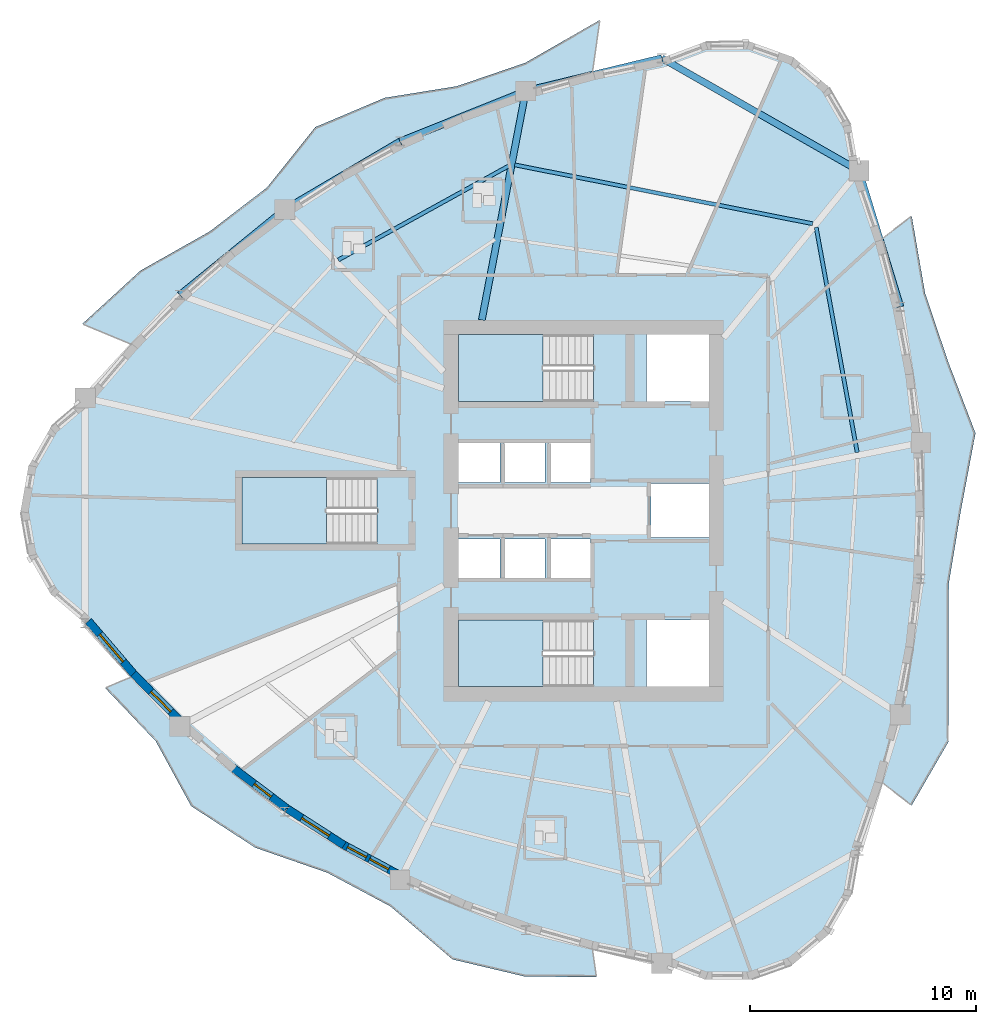
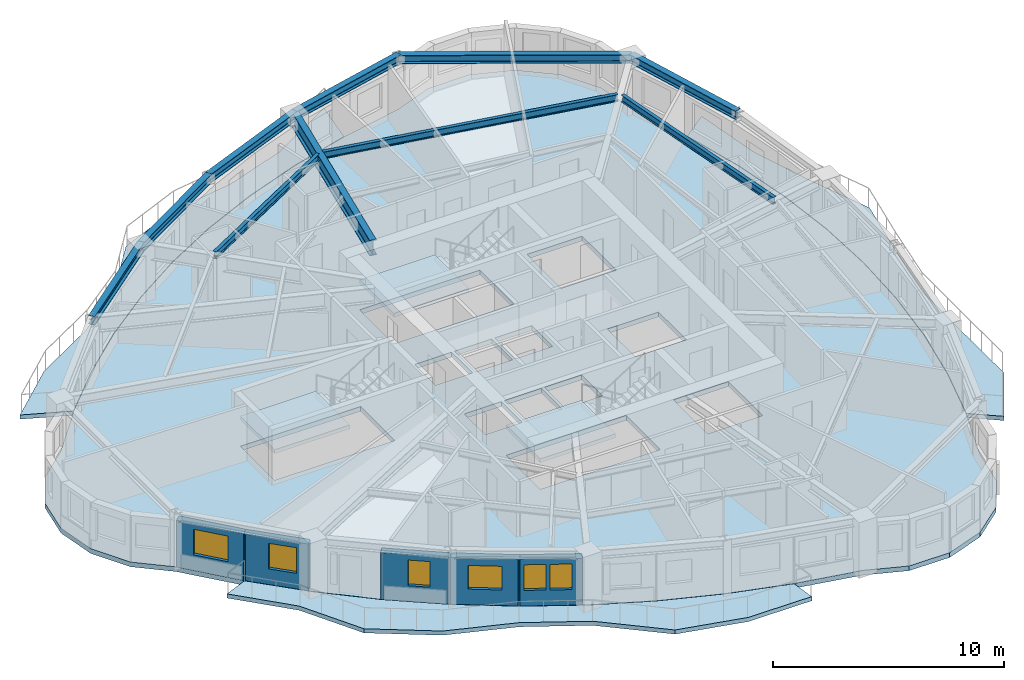
# One storey, part 2 of 12: 10 beams, 7 slabs, 6 windows, 5 walls, 6 openings, 3 elements without a shape of their own.
"""IFC4 building model written with IfcOpenShell, lengths in metres."""

from ifc_helpers import new_model, si_unit, direction, frame, frame_2d, origin, origin_2d, place, context, subcontext, project, spatial, polyline, rectangle, i_section, outline, extrude, source, transform, mapped, material, layer, layer_set, material_profile, profile_set, type_object, element, fill, aggregate, save


model = new_model("IFC4")

# Units and contexts
model_context = context("Model", 3, precision=1e-05, world=origin(), true_north=direction((0.0, 1.0)))
body_context = subcontext(model_context, "Body", "Model", "MODEL_VIEW")
ifc_project = project(units=[si_unit("LENGTHUNIT", "METRE"), si_unit("AREAUNIT", "SQUARE_METRE"), si_unit("VOLUMEUNIT", "CUBIC_METRE"), si_unit("PLANEANGLEUNIT", "RADIAN"), si_unit("MASSUNIT", "GRAM", prefix="KILO")], contexts=[model_context])

# Site, building, storey
site_placement = place(None, origin())
site = spatial("IfcSite", under=ifc_project, at=site_placement, CompositionType="ELEMENT")
building_placement = place(site_placement, origin())
building = spatial("IfcBuilding", under=site, at=building_placement, Name="Qafzar Sky-Pleat Residences", CompositionType="ELEMENT")
storey_placement = place(building_placement, frame((0.0, 0.0, 76.800048828125)))
storey = spatial("IfcBuildingStorey", under=building, at=storey_placement, Name="L22", CompositionType="ELEMENT", Elevation=76.800048828125)

# Beams
ifc_material_1 = material(Name="Steel S355", Category="steel")
ifc_material_profile_1 = material_profile(ifc_material_1, i_section(OverallWidth=0.300048828125, OverallDepth=0.449951171875, WebThickness=0.013916015625, FlangeThickness=0.02587890625, FilletRadius=0.027099609375, at=origin_2d()), Name="HEB 450")
ifc_profile_set_1 = profile_set([ifc_material_profile_1], Name="Steel S355")
beam_type_1 = type_object("IfcBeamType", Name="BM-SPAN-HEB450", PredefinedType="SPANDREL", material=ifc_profile_set_1)
shared_shape_1 = source(origin(), body_context, "Body", "SweptSolid", [
    extrude(i_section(OverallWidth=0.300048828125, OverallDepth=0.449951171875, WebThickness=0.013916015625, FlangeThickness=0.02587890625, FilletRadius=0.027099609375, at=origin_2d()), origin(), (0.0, 0.0, 1.0), 6.002197265625),
])
for number, where, z_axis, x_axis, name in (
    (1, (27.786865234375, 44.60400390625, 2.7080078125), (-0.927979334947, -0.372631659834, 0.0), (0.372631659834, -0.927979334947, 0.0), "L22 Perimeter Spandrel Beam 15"),
    (2, (17.105224609375, 39.354248046875, 2.7080078125), (-0.775354482876, -0.631526266978, 0.0), (0.631526266978, -0.775354482876, 0.0), "L22 Perimeter Spandrel Beam 17"),
):
    element("IfcBeam", number, at=place(storey_placement, frame(where, z_axis=z_axis, x_axis=x_axis)), inside=storey, type_object=beam_type_1, Name=name, PredefinedType="SPANDREL", context=body_context, shape_type="MappedRepresentation", body=[
        mapped(shared_shape_1, transform((0.0, 0.0, 0.0), x_axis=(1.0, 0.0, 0.0), y_axis=(0.0, 1.0, 0.0), z_axis=(0.0, 0.0, 1.0), scale=1.0)),
    ])
shared_shape_2 = source(origin(), body_context, "Body", "SweptSolid", [
    extrude(i_section(OverallWidth=0.300048828125, OverallDepth=0.449951171875, WebThickness=0.013916015625, FlangeThickness=0.02587890625, FilletRadius=0.027099609375, at=origin_2d()), origin(), (0.0, 0.0, 1.0), 5.933837890625),
])
beam_1_placement = place(storey_placement, frame((22.217041015625, 42.367431640625, 2.7080078125), z_axis=(-0.861474825081, -0.507800281362, 0.0), x_axis=(0.507800281362, -0.861474825081, 0.0)))
element("IfcBeam", 3, at=beam_1_placement, inside=storey, type_object=beam_type_1, Name="L22 Perimeter Spandrel Beam 16", PredefinedType="SPANDREL", context=body_context, shape_type="MappedRepresentation", body=[
    mapped(shared_shape_2, transform((0.0, 0.0, 0.0), x_axis=(1.0, 0.0, 0.0), y_axis=(0.0, 1.0, 0.0), z_axis=(0.0, 0.0, 1.0), scale=1.0)),
])
shared_shape_3 = source(origin(), body_context, "Body", "SweptSolid", [
    extrude(i_section(OverallWidth=0.300048828125, OverallDepth=0.449951171875, WebThickness=0.013916015625, FlangeThickness=0.02587890625, FilletRadius=0.027099609375, at=origin_2d()), origin(), (0.0, 0.0, 1.0), 6.201904296875),
])
beam_2_placement = place(storey_placement, frame((33.814697265625, 46.063232421875, 2.7080078125), z_axis=(-0.971926258737, -0.235285672275, 0.0), x_axis=(0.235285672275, -0.971926258737, 0.0)))
element("IfcBeam", 4, at=beam_2_placement, inside=storey, type_object=beam_type_1, Name="L22 Perimeter Spandrel Beam 14", PredefinedType="SPANDREL", context=body_context, shape_type="MappedRepresentation", body=[
    mapped(shared_shape_3, transform((0.0, 0.0, 0.0), x_axis=(1.0, 0.0, 0.0), y_axis=(0.0, 1.0, 0.0), z_axis=(0.0, 0.0, 1.0), scale=1.0)),
])
shared_shape_4 = source(origin(), body_context, "Body", "SweptSolid", [
    extrude(i_section(OverallWidth=0.300048828125, OverallDepth=0.449951171875, WebThickness=0.013916015625, FlangeThickness=0.02587890625, FilletRadius=0.027099609375, at=origin_2d()), origin(), (0.0, 0.0, 1.0), 10.072021484375),
])
beam_3_placement = place(storey_placement, frame((42.56005859375, 41.06689453125, 2.7080078125), z_axis=(-0.868286397172, 0.496063234363, 0.0), x_axis=(-0.496063234363, -0.868286397172, 0.0)))
element("IfcBeam", 5, at=beam_3_placement, inside=storey, type_object=beam_type_1, Name="L22 Perimeter Spandrel Beam 13", PredefinedType="SPANDREL", context=body_context, shape_type="MappedRepresentation", body=[
    mapped(shared_shape_4, transform((0.0, 0.0, 0.0), x_axis=(1.0, 0.0, 0.0), y_axis=(0.0, 1.0, 0.0), z_axis=(0.0, 0.0, 1.0), scale=1.0)),
])
shared_shape_5 = source(origin(), body_context, "Body", "SweptSolid", [
    extrude(i_section(OverallWidth=0.300048828125, OverallDepth=0.449951171875, WebThickness=0.013916015625, FlangeThickness=0.02587890625, FilletRadius=0.027099609375, at=origin_2d()), origin(), (0.0, 0.0, 1.0), 6.299072265625),
])
beam_4_placement = place(storey_placement, frame((44.39208984375, 35.0400390625, 2.7080078125), z_axis=(-0.290837724263, 0.956772396208, 0.0), x_axis=(-0.956772396208, -0.290837724263, 0.0)))
element("IfcBeam", 6, at=beam_4_placement, inside=storey, type_object=beam_type_1, Name="L22 Perimeter Spandrel Beam 12", PredefinedType="SPANDREL", context=body_context, shape_type="MappedRepresentation", body=[
    mapped(shared_shape_5, transform((0.0, 0.0, 0.0), x_axis=(1.0, 0.0, 0.0), y_axis=(0.0, 1.0, 0.0), z_axis=(0.0, 0.0, 1.0), scale=1.0)),
])
ifc_material_profile_2 = material_profile(ifc_material_1, i_section(OverallWidth=0.169921875, OverallDepth=0.360107421875, WebThickness=0.008056640625, FlangeThickness=0.0126953125, FilletRadius=0.01806640625, at=origin_2d()), Name="IPE 360")
ifc_profile_set_2 = profile_set([ifc_material_profile_2], Name="Steel S355")
beam_type_2 = type_object("IfcBeamType", Name="BM-JST-IPE360", PredefinedType="JOIST", material=ifc_profile_set_2)
shared_shape_6 = source(origin(), body_context, "Body", "SweptSolid", [
    extrude(i_section(OverallWidth=0.169921875, OverallDepth=0.360107421875, WebThickness=0.008056640625, FlangeThickness=0.0126953125, FilletRadius=0.01806640625, at=origin_2d()), origin(), (0.0, 0.0, 1.0), 10.14404296875),
])
beam_5_placement = place(storey_placement, frame((42.4814453125, 28.58154296875, 2.7529296875), z_axis=(-0.179472078166, 0.983763067592, 0.0), x_axis=(-0.983763067592, -0.179472078166, 0.0)))
element("IfcBeam", 7, at=beam_5_placement, inside=storey, type_object=beam_type_2, Name="L22 Outer Secondary Floor Joist 6", PredefinedType="JOIST", context=body_context, shape_type="MappedRepresentation", body=[
    mapped(shared_shape_6, transform((0.0, 0.0, 0.0), x_axis=(1.0, 0.0, 0.0), y_axis=(0.0, 1.0, 0.0), z_axis=(0.0, 0.0, 1.0), scale=1.0)),
])
ifc_material_2 = material(Name="Steel S460", Category="steel")
ifc_material_profile_3 = material_profile(ifc_material_2, i_section(OverallWidth=0.300048828125, OverallDepth=0.800048828125, WebThickness=0.017578125, FlangeThickness=0.032958984375, FilletRadius=0.030029296875, at=origin_2d()), Name="HEB 800")
ifc_profile_set_3 = profile_set([ifc_material_profile_3], Name="Steel S460")
beam_type_3 = type_object("IfcBeamType", Name="BM-CHORD-HEB800", PredefinedType="BEAM", material=ifc_profile_set_3)
shared_shape_7 = source(origin(), body_context, "Body", "SweptSolid", [
    extrude(i_section(OverallWidth=0.300048828125, OverallDepth=0.800048828125, WebThickness=0.017578125, FlangeThickness=0.032958984375, FilletRadius=0.030029296875, at=origin_2d()), origin(), (0.0, 0.0, 1.0), 10.3388671875),
])
beam_6_placement = place(storey_placement, frame((27.786865234375, 44.60400390625, 2.532958984375), z_axis=(-0.18827194178, -0.98211693598, 0.0), x_axis=(0.98211693598, -0.18827194178, 0.0)))
element("IfcBeam", 8, at=beam_6_placement, inside=storey, type_object=beam_type_3, Name="L23 Setback Transfer Girder 15", PredefinedType="BEAM", context=body_context, shape_type="MappedRepresentation", body=[
    mapped(shared_shape_7, transform((0.0, 0.0, 0.0), x_axis=(1.0, 0.0, 0.0), y_axis=(0.0, 1.0, 0.0), z_axis=(0.0, 0.0, 1.0), scale=1.0)),
])
shared_shape_8 = source(origin(), body_context, "Body", "SweptSolid", [
    extrude(i_section(OverallWidth=0.169921875, OverallDepth=0.360107421875, WebThickness=0.008056640625, FlangeThickness=0.0126953125, FilletRadius=0.01806640625, at=origin_2d()), origin(), (0.0, 0.0, 1.0), 13.463134765625),
])
beam_7_placement = place(storey_placement, frame((40.50439453125, 38.7197265625, 2.7529296875), z_axis=(-0.981045189272, 0.193779092284, 0.0), x_axis=(-0.193779092284, -0.981045189272, 0.0)))
element("IfcBeam", 9, at=beam_7_placement, inside=storey, type_object=beam_type_2, Name="L22 Outer Secondary Floor Joist 7", PredefinedType="JOIST", context=body_context, shape_type="MappedRepresentation", body=[
    mapped(shared_shape_8, transform((0.0, 0.0, 0.0), x_axis=(1.0, 0.0, 0.0), y_axis=(0.0, 1.0, 0.0), z_axis=(0.0, 0.0, 1.0), scale=1.0)),
])
shared_shape_9 = source(origin(), body_context, "Body", "SweptSolid", [
    extrude(i_section(OverallWidth=0.169921875, OverallDepth=0.360107421875, WebThickness=0.008056640625, FlangeThickness=0.0126953125, FilletRadius=0.01806640625, at=origin_2d()), origin(), (0.0, 0.0, 1.0), 8.643798828125),
])
beam_8_placement = place(storey_placement, frame((27.0458984375, 41.289306640625, 2.7529296875), z_axis=(-0.875552553696, -0.483122888834, 0.0), x_axis=(0.483122888834, -0.875552553696, 0.0)))
element("IfcBeam", 10, at=beam_8_placement, inside=storey, type_object=beam_type_2, Name="L22 Outer Secondary Floor Joist 8", PredefinedType="JOIST", context=body_context, shape_type="MappedRepresentation", body=[
    mapped(shared_shape_9, transform((0.0, 0.0, 0.0), x_axis=(1.0, 0.0, 0.0), y_axis=(0.0, 1.0, 0.0), z_axis=(0.0, 0.0, 1.0), scale=1.0)),
])

# Slabs
ifc_material_3 = material(Name="Concrete C40/50", Category="concrete")
ifc_layer_1 = layer(ifc_material_3, 0.219970703125)
ifc_layer_set_1 = layer_set([ifc_layer_1], Name="Concrete C40/50")
slab_type_1 = type_object("IfcSlabType", Name="SLAB-BAL-220", PredefinedType="USERDEFINED", material=ifc_layer_set_1)
slab_1_placement = place(storey_placement, frame((0.0, 0.0, -0.219970703125)))
element("IfcSlab", 11, at=slab_1_placement, inside=storey, type_object=slab_type_1, Name="L22 Pleated Stone Balcony 1", ObjectType="BALCONY", PredefinedType="USERDEFINED", context=body_context, shape_type="SweptSolid", body=[
    extrude(outline(polyline([(44.402587890625, 16.9541015625), (44.97607421875, 19.96923828125), (45.320068359375, 22.984619140625), (45.434814453125, 26.0), (45.320068359375, 29.015380859375), (44.97607421875, 32.03076171875), (44.402587890625, 35.0458984375), (43.60009765625, 38.060791015625), (44.89599609375, 39.062744140625), (45.48681640625, 35.643798828125), (46.51953125, 32.5791015625), (47.721923828125, 29.43359375), (47.07275390625, 26.0), (46.539794921875, 22.772216796875), (46.51953125, 19.4208984375), (46.53759765625, 15.776611328125), (44.89599609375, 12.937255859375), (43.60009765625, 13.939208984375), (44.402587890625, 16.9541015625)])), origin(), (0.0, 0.0, 1.0), 0.219970703125),
])
slab_2_placement = place(storey_placement, frame((0.0, 0.0, -0.219970703125)))
element("IfcSlab", 12, at=slab_2_placement, inside=storey, type_object=slab_type_1, Name="L22 Pleated Stone Balcony 2", ObjectType="BALCONY", PredefinedType="USERDEFINED", context=body_context, shape_type="SweptSolid", body=[
    extrude(outline(polyline([(27.78662109375, 44.615966796875), (24.9423828125, 43.594482421875), (22.212890625, 42.37890625), (19.597900390625, 40.968505859375), (17.09765625, 39.363525390625), (14.7119140625, 37.56396484375), (12.44140625, 35.570068359375), (10.285400390625, 33.3818359375), (8.1337890625, 34.278564453125), (10.705322265625, 36.6376953125), (13.7783203125, 38.376708984375), (16.31494140625, 40.32275390625), (18.457275390625, 43.0009765625), (21.5341796875, 44.30029296875), (24.730712890625, 44.814208984375), (27.7724609375, 45.853759765625), (31.07080078125, 47.75048828125), (30.7451171875, 45.442626953125), (27.78662109375, 44.615966796875)])), origin(), (0.0, 0.0, 1.0), 0.219970703125),
])
slab_3_placement = place(storey_placement, frame((0.0, 0.0, -0.219970703125)))
element("IfcSlab", 13, at=slab_3_placement, inside=storey, type_object=slab_type_1, Name="L22 Pleated Stone Balcony 3", ObjectType="BALCONY", PredefinedType="USERDEFINED", context=body_context, shape_type="SweptSolid", body=[
    extrude(outline(polyline([(12.44140625, 16.429931640625), (14.7119140625, 14.43603515625), (17.09765625, 12.636474609375), (19.597900390625, 11.031494140625), (22.212890625, 9.62109375), (24.9423828125, 8.405517578125), (27.78662109375, 7.384033203125), (30.7451171875, 6.557373046875), (30.918212890625, 5.33154296875), (27.76318359375, 5.34619140625), (24.54345703125, 6.10888671875), (21.800537109375, 8.453857421875), (18.9921875, 9.951904296875), (15.809326171875, 11.057373046875), (12.953857421875, 12.906005859375), (11.38671875, 15.78125), (9.142578125, 18.141845703125), (10.285400390625, 18.6181640625), (12.44140625, 16.429931640625)])), origin(), (0.0, 0.0, 1.0), 0.219970703125),
])
ifc_layer_2 = layer(ifc_material_3, 0.25)
ifc_layer_set_2 = layer_set([ifc_layer_2], Name="Concrete C40/50")
slab_type_2 = type_object("IfcSlabType", Name="SLAB-FLR-250", PredefinedType="FLOOR", material=ifc_layer_set_2)
slab_4_placement = place(storey_placement, frame((0.0, 0.0, -0.25)))
element("IfcSlab", 14, at=slab_4_placement, inside=storey, type_object=slab_type_2, Name="L22 Structural Floor Slab", PredefinedType="FLOOR", context=body_context, shape_type="SweptSolid", body=[
    extrude(outline(polyline([(8.255859375, 30.99658203125), (6.735595703125, 29.701416015625), (5.7451171875, 27.96728515625), (5.401123046875, 26.0), (5.7451171875, 24.03271484375), (6.735595703125, 22.298583984375), (8.255859375, 21.00341796875), (10.29638671875, 18.622802734375), (12.451416015625, 16.436279296875), (14.72119140625, 14.44384765625), (17.105224609375, 12.645751953125), (19.60400390625, 11.0419921875), (22.217041015625, 9.632568359375), (24.944580078125, 8.417236328125), (27.786865234375, 7.39599609375), (30.743408203125, 6.5693359375), (33.814697265625, 5.936767578125), (35.709716796875, 5.22900390625), (37.732666015625, 5.21533203125), (39.63720703125, 5.897216796875), (41.19189453125, 7.191650390625), (42.207275390625, 8.941162109375), (42.56005859375, 10.93310546875), (43.590576171875, 13.946533203125), (44.39208984375, 16.9599609375), (44.964599609375, 19.973388671875), (45.30810546875, 22.986572265625), (45.422607421875, 26.0), (45.30810546875, 29.013427734375), (44.964599609375, 32.026611328125), (44.39208984375, 35.0400390625), (43.590576171875, 38.053466796875), (42.56005859375, 41.06689453125), (42.207275390625, 43.058837890625), (41.19189453125, 44.808349609375), (39.63720703125, 46.102783203125), (37.732666015625, 46.78466796875), (35.709716796875, 46.77099609375), (33.814697265625, 46.063232421875), (30.743408203125, 45.4306640625), (27.786865234375, 44.60400390625), (24.944580078125, 43.582763671875), (22.217041015625, 42.367431640625), (19.60400390625, 40.9580078125), (17.105224609375, 39.354248046875), (14.72119140625, 37.55615234375), (12.451416015625, 35.563720703125), (10.29638671875, 33.377197265625), (8.255859375, 30.99658203125)]), holes=[polyline([(30.797119140625, 21.14990234375), (24.800048828125, 21.14990234375), (24.800048828125, 18.199951171875), (30.797119140625, 18.199951171875), (30.797119140625, 21.14990234375)]), polyline([(30.797119140625, 33.800048828125), (24.800048828125, 33.800048828125), (24.800048828125, 30.85009765625), (30.797119140625, 30.85009765625), (30.797119140625, 33.800048828125)]), polyline([(21.197021484375, 27.47509765625), (15.199951171875, 27.47509765625), (15.199951171875, 24.52490234375), (21.197021484375, 24.52490234375), (21.197021484375, 27.47509765625)]), polyline([(24.800048828125, 22.949951171875), (26.64990234375, 22.949951171875), (26.64990234375, 24.75), (24.800048828125, 24.75), (24.800048828125, 22.949951171875)]), polyline([(26.800048828125, 22.949951171875), (28.64990234375, 22.949951171875), (28.64990234375, 24.75), (26.800048828125, 24.75), (26.800048828125, 22.949951171875)]), polyline([(28.800048828125, 22.949951171875), (30.64990234375, 22.949951171875), (30.64990234375, 24.75), (28.800048828125, 24.75), (28.800048828125, 22.949951171875)]), polyline([(24.800048828125, 27.25), (26.64990234375, 27.25), (26.64990234375, 29.050048828125), (24.800048828125, 29.050048828125), (24.800048828125, 27.25)]), polyline([(26.800048828125, 27.25), (28.64990234375, 27.25), (28.64990234375, 29.050048828125), (26.800048828125, 29.050048828125), (26.800048828125, 27.25)]), polyline([(28.800048828125, 27.25), (30.64990234375, 27.25), (30.64990234375, 29.050048828125), (28.800048828125, 29.050048828125), (28.800048828125, 27.25)]), polyline([(33.14990234375, 18.199951171875), (35.89990234375, 18.199951171875), (35.89990234375, 21.14990234375), (33.14990234375, 21.14990234375), (33.14990234375, 18.199951171875)]), polyline([(33.14990234375, 30.85009765625), (35.89990234375, 30.85009765625), (35.89990234375, 33.800048828125), (33.14990234375, 33.800048828125), (33.14990234375, 30.85009765625)]), polyline([(33.35009765625, 24.800048828125), (35.89990234375, 24.800048828125), (35.89990234375, 27.199951171875), (33.35009765625, 27.199951171875), (33.35009765625, 24.800048828125)])]), origin(), (0.0, 0.0, 1.0), 0.25),
])

# Stair, slab
stair_type = type_object("IfcStairType", Name="STAIR-H320", PredefinedType="HALF_TURN_STAIR", material=ifc_material_3)
stair_1_placement = place(storey_placement, origin())
stair_1 = element("IfcStair", 15, at=stair_1_placement, inside=storey, type_object=stair_type, Name="L22 Protected Exit Stair ST1", PredefinedType="HALF_TURN_STAIR")
ifc_layer_3 = layer(ifc_material_3, 0.199951171875)
ifc_layer_set_3 = layer_set([ifc_layer_3], Name="Concrete C40/50")
slab_type_3 = type_object("IfcSlabType", Name="SLAB-LANDING-200", PredefinedType="LANDING", material=ifc_layer_set_3)
slab_5_placement = place(storey_placement, frame((0.0, 0.0, 1.39990234375)))
slab_5 = element("IfcSlab", 16, at=slab_5_placement, type_object=slab_type_3, Name="ST1 landing 1", PredefinedType="LANDING", context=body_context, shape_type="SweptSolid", body=[
    extrude(outline(polyline([(28.56005859375, 21.14990234375), (24.800048828125, 21.14990234375), (24.800048828125, 18.199951171875), (28.56005859375, 18.199951171875), (28.56005859375, 21.14990234375)])), origin(), (0.0, 0.0, 1.0), 0.199951171875),
])
aggregate(stair_1, [slab_5])

stair_2_placement = place(storey_placement, origin())
stair_2 = element("IfcStair", 17, at=stair_2_placement, inside=storey, type_object=stair_type, Name="L22 Protected Exit Stair ST2", PredefinedType="HALF_TURN_STAIR")
slab_6_placement = place(storey_placement, frame((0.0, 0.0, 1.39990234375)))
slab_6 = element("IfcSlab", 18, at=slab_6_placement, type_object=slab_type_3, Name="ST2 landing 1", PredefinedType="LANDING", context=body_context, shape_type="SweptSolid", body=[
    extrude(outline(polyline([(28.56005859375, 33.800048828125), (24.800048828125, 33.800048828125), (24.800048828125, 30.85009765625), (28.56005859375, 30.85009765625), (28.56005859375, 33.800048828125)])), origin(), (0.0, 0.0, 1.0), 0.199951171875),
])
aggregate(stair_2, [slab_6])

stair_3_placement = place(storey_placement, origin())
stair_3 = element("IfcStair", 19, at=stair_3_placement, inside=storey, type_object=stair_type, Name="L22 Protected Exit Stair ST3", PredefinedType="HALF_TURN_STAIR")
slab_7_placement = place(storey_placement, frame((0.0, 0.0, 1.39990234375)))
slab_7 = element("IfcSlab", 20, at=slab_7_placement, type_object=slab_type_3, Name="ST3 landing 1", PredefinedType="LANDING", context=body_context, shape_type="SweptSolid", body=[
    extrude(outline(polyline([(18.9599609375, 27.47509765625), (15.199951171875, 27.47509765625), (15.199951171875, 24.52490234375), (18.9599609375, 24.52490234375), (18.9599609375, 27.47509765625)])), origin(), (0.0, 0.0, 1.0), 0.199951171875),
])
aggregate(stair_3, [slab_7])

# Wall, opening, window
ifc_material_4 = material(Name="Precast concrete C40/50 with honed Riyadh limestone", Category="concrete")
ifc_layer_4 = layer(ifc_material_4, 0.35009765625)
ifc_layer_set_4 = layer_set([ifc_layer_4], Name="Precast concrete C40/50 with honed Riyadh limestone")
wall_type = type_object("IfcWallType", Name="WALL-EXT-350", PredefinedType="SOLIDWALL", material=ifc_layer_set_4)
wall_1_placement = place(storey_placement, frame((8.401611328125, 21.102294921875, 0.0), z_axis=(0.0, 0.0, 1.0), x_axis=(0.650797748491, -0.759251138004, 0.0)))
wall_1 = element("IfcWall", 21, at=wall_1_placement, inside=storey, type_object=wall_type, Name="L22 Limestone Facade Wall 7", PredefinedType="SOLIDWALL", context=body_context, shape_type="SweptSolid", body=[
    extrude(rectangle(XDim=3.15380859375, YDim=0.35009765625, at=frame_2d((1.576904296875, 0.0))), origin(), (0.0, 0.0, 1.0), 2.46484375),
])
opening_1_placement = place(wall_1_placement, frame((0.766845703125, 0.0, 0.820068359375)))
opening_1 = element("IfcOpeningElement", 22, at=opening_1_placement, cuts=wall_1, Name="Opening WN-09", PredefinedType="OPENING", context=body_context, shape_type="SweptSolid", body=[
    extrude(rectangle(XDim=1.60009765625, YDim=1.35009765625, at=frame_2d((0.800048828125, 0.675048828125))), frame((0.0, 0.18505859375, 0.0), z_axis=(0.0, -1.0, 0.0), x_axis=(1.0, 0.0, 0.0)), (0.0, 0.0, 1.0), 0.3701171875),
])
ifc_material_5 = material(Name="Solar-control low-E glass in bronze aluminium frame", Category="glass")
window_type_1 = type_object("IfcWindowType", Name="WIN-09", PartitioningType="DOUBLE_PANEL_VERTICAL", PredefinedType="WINDOW", material=ifc_material_5)
shared_shape_10 = source(origin(), body_context, "Body", "SweptSolid", [
    extrude(rectangle(XDim=1.60009765625, YDim=1.35009765625, at=frame_2d((0.800048828125, 0.675048828125))), frame((0.0, 0.030029296875, 0.0), z_axis=(0.0, -1.0, 0.0), x_axis=(1.0, 0.0, 0.0)), (0.0, 0.0, 1.0), 0.06005859375),
])
window_1_placement = place(opening_1_placement, origin())
window_1 = element("IfcWindow", 23, at=window_1_placement, inside=storey, type_object=window_type_1, Name="L22 Punched Facade Window 07", OverallHeight=1.35009765625, OverallWidth=1.60009765625, PartitioningType="SINGLE_PANEL", PredefinedType="WINDOW", context=body_context, shape_type="MappedRepresentation", body=[
    mapped(shared_shape_10, transform((0.0, 0.0, 0.0), x_axis=(1.0, 0.0, 0.0), y_axis=(0.0, 1.0, 0.0), z_axis=(0.0, 0.0, 1.0), scale=1.0)),
])
fill(opening_1, window_1)

wall_2_placement = place(storey_placement, frame((10.394287109375, 18.772705078125, 0.0), z_axis=(0.0, 0.0, 1.0), x_axis=(0.701965316192, -0.712211130819, 0.0)))
wall_2 = element("IfcWall", 24, at=wall_2_placement, inside=storey, type_object=wall_type, Name="L22 Limestone Facade Wall 8", PredefinedType="SOLIDWALL", context=body_context, shape_type="SweptSolid", body=[
    extrude(rectangle(XDim=2.88330078125, YDim=0.35009765625, at=frame_2d((1.441650390625, 0.0))), origin(), (0.0, 0.0, 1.0), 2.46484375),
])
opening_2_placement = place(wall_2_placement, frame((1.11279296875, 0.0, 0.820068359375)))
opening_2 = element("IfcOpeningElement", 25, at=opening_2_placement, cuts=wall_2, Name="Opening WN-11", PredefinedType="OPENING", context=body_context, shape_type="SweptSolid", body=[
    extrude(rectangle(XDim=1.25, YDim=1.35009765625, at=frame_2d((0.625, 0.675048828125))), frame((0.0, 0.18505859375, 0.0), z_axis=(0.0, -1.0, 0.0), x_axis=(1.0, 0.0, 0.0)), (0.0, 0.0, 1.0), 0.3701171875),
])
window_type_2 = type_object("IfcWindowType", Name="WIN-11", PartitioningType="SINGLE_PANEL", PredefinedType="WINDOW", material=ifc_material_5)
shared_shape_11 = source(origin(), body_context, "Body", "SweptSolid", [
    extrude(rectangle(XDim=1.25, YDim=1.35009765625, at=frame_2d((0.625, 0.675048828125))), frame((0.0, 0.030029296875, 0.0), z_axis=(0.0, -1.0, 0.0), x_axis=(1.0, 0.0, 0.0)), (0.0, 0.0, 1.0), 0.06005859375),
])
window_2_placement = place(opening_2_placement, origin())
window_2 = element("IfcWindow", 26, at=window_2_placement, inside=storey, type_object=window_type_2, Name="L22 Punched Facade Window 08-2", OverallHeight=1.35009765625, OverallWidth=1.25, PartitioningType="SINGLE_PANEL", PredefinedType="WINDOW", context=body_context, shape_type="MappedRepresentation", body=[
    mapped(shared_shape_11, transform((0.0, 0.0, 0.0), x_axis=(1.0, 0.0, 0.0), y_axis=(0.0, 1.0, 0.0), z_axis=(0.0, 0.0, 1.0), scale=1.0)),
])
fill(opening_2, window_2)

wall_3_placement = place(storey_placement, frame((14.796142578125, 14.6064453125, 0.0), z_axis=(0.0, 0.0, 1.0), x_axis=(0.79839776153, -0.602130396496, 0.0)))
wall_3 = element("IfcWall", 27, at=wall_3_placement, inside=storey, type_object=wall_type, Name="L22 Limestone Facade Wall 10", PredefinedType="SOLIDWALL", context=body_context, shape_type="SweptSolid", body=[
    extrude(rectangle(XDim=3.004150390625, YDim=0.35009765625, at=frame_2d((1.501953125, 0.0))), origin(), (0.0, 0.0, 1.0), 2.46484375),
])
opening_3_placement = place(wall_3_placement, frame((1.193115234375, 0.0, 0.820068359375)))
opening_3 = element("IfcOpeningElement", 28, at=opening_3_placement, cuts=wall_3, Name="Opening WN-12", PredefinedType="OPENING", context=body_context, shape_type="SweptSolid", body=[
    extrude(rectangle(XDim=0.949951171875, YDim=1.35009765625, at=frame_2d((0.47509765625, 0.675048828125))), frame((0.0, 0.18505859375, 0.0), z_axis=(0.0, -1.0, 0.0), x_axis=(1.0, 0.0, 0.0)), (0.0, 0.0, 1.0), 0.3701171875),
])
window_type_3 = type_object("IfcWindowType", Name="WIN-12", PartitioningType="SINGLE_PANEL", PredefinedType="WINDOW", material=ifc_material_5)
shared_shape_12 = source(origin(), body_context, "Body", "SweptSolid", [
    extrude(rectangle(XDim=0.949951171875, YDim=1.35009765625, at=frame_2d((0.47509765625, 0.675048828125))), frame((0.0, 0.030029296875, 0.0), z_axis=(0.0, -1.0, 0.0), x_axis=(1.0, 0.0, 0.0)), (0.0, 0.0, 1.0), 0.06005859375),
])
window_3_placement = place(opening_3_placement, origin())
window_3 = element("IfcWindow", 29, at=window_3_placement, inside=storey, type_object=window_type_3, Name="L22 Punched Facade Window 10", OverallHeight=1.35009765625, OverallWidth=0.949951171875, PartitioningType="SINGLE_PANEL", PredefinedType="WINDOW", context=body_context, shape_type="MappedRepresentation", body=[
    mapped(shared_shape_12, transform((0.0, 0.0, 0.0), x_axis=(1.0, 0.0, 0.0), y_axis=(0.0, 1.0, 0.0), z_axis=(0.0, 0.0, 1.0), scale=1.0)),
])
fill(opening_3, window_3)

wall_4_placement = place(storey_placement, frame((17.216552734375, 12.7822265625, 0.0), z_axis=(0.0, 0.0, 1.0), x_axis=(0.841568610443, -0.540150232729, 0.0)))
wall_4 = element("IfcWall", 30, at=wall_4_placement, inside=storey, type_object=wall_type, Name="L22 Limestone Facade Wall 11", PredefinedType="SOLIDWALL", context=body_context, shape_type="SweptSolid", body=[
    extrude(rectangle(XDim=2.987060546875, YDim=0.35009765625, at=frame_2d((1.49365234375, 0.0))), origin(), (0.0, 0.0, 1.0), 2.46484375),
])
opening_4_placement = place(wall_4_placement, frame((0.758544921875, 0.0, 0.820068359375)))
opening_4 = element("IfcOpeningElement", 31, at=opening_4_placement, cuts=wall_4, Name="Opening WN-15", PredefinedType="OPENING", context=body_context, shape_type="SweptSolid", body=[
    extrude(rectangle(XDim=1.449951171875, YDim=1.25, at=frame_2d((0.72509765625, 0.625))), frame((0.0, 0.18505859375, 0.0), z_axis=(0.0, -1.0, 0.0), x_axis=(1.0, 0.0, 0.0)), (0.0, 0.0, 1.0), 0.3701171875),
])
window_type_4 = type_object("IfcWindowType", Name="WIN-15", PartitioningType="SINGLE_PANEL", PredefinedType="WINDOW", material=ifc_material_5)
shared_shape_13 = source(origin(), body_context, "Body", "SweptSolid", [
    extrude(rectangle(XDim=1.449951171875, YDim=1.25, at=frame_2d((0.72509765625, 0.625))), frame((0.0, 0.030029296875, 0.0), z_axis=(0.0, -1.0, 0.0), x_axis=(1.0, 0.0, 0.0)), (0.0, 0.0, 1.0), 0.06005859375),
])
window_4_placement = place(opening_4_placement, origin())
window_4 = element("IfcWindow", 32, at=window_4_placement, inside=storey, type_object=window_type_4, Name="L22 Punched Facade Window 11", OverallHeight=1.25, OverallWidth=1.449951171875, PartitioningType="SINGLE_PANEL", PredefinedType="WINDOW", context=body_context, shape_type="MappedRepresentation", body=[
    mapped(shared_shape_13, transform((0.0, 0.0, 0.0), x_axis=(1.0, 0.0, 0.0), y_axis=(0.0, 1.0, 0.0), z_axis=(0.0, 0.0, 1.0), scale=1.0)),
])
fill(opening_4, window_4)

# Wall, openings, windows
wall_5_placement = place(storey_placement, frame((19.653564453125, 11.214111328125, 0.0), z_axis=(0.0, 0.0, 1.0), x_axis=(0.880112978449, -0.474764304857, 0.0)))
wall_5 = element("IfcWall", 33, at=wall_5_placement, inside=storey, type_object=wall_type, Name="L22 Limestone Facade Wall 12", PredefinedType="SOLIDWALL", context=body_context, shape_type="SweptSolid", body=[
    extrude(rectangle(XDim=2.781982421875, YDim=0.35009765625, at=frame_2d((1.39111328125, 0.0))), origin(), (0.0, 0.0, 1.0), 2.46484375),
])
opening_5_placement = place(wall_5_placement, frame((0.263916015625, 0.0, 0.820068359375)))
opening_5 = element("IfcOpeningElement", 34, at=opening_5_placement, cuts=wall_5, Name="Opening WN-12", PredefinedType="OPENING", context=body_context, shape_type="SweptSolid", body=[
    extrude(rectangle(XDim=0.949951171875, YDim=1.35009765625, at=frame_2d((0.47509765625, 0.675048828125))), frame((0.0, 0.18505859375, 0.0), z_axis=(0.0, -1.0, 0.0), x_axis=(1.0, 0.0, 0.0)), (0.0, 0.0, 1.0), 0.3701171875),
])
opening_6_placement = place(wall_5_placement, frame((1.3798828125, 0.0, 0.820068359375)))
opening_6 = element("IfcOpeningElement", 35, at=opening_6_placement, cuts=wall_5, Name="Opening WN-12", PredefinedType="OPENING", context=body_context, shape_type="SweptSolid", body=[
    extrude(rectangle(XDim=0.949951171875, YDim=1.35009765625, at=frame_2d((0.47509765625, 0.675048828125))), frame((0.0, 0.18505859375, 0.0), z_axis=(0.0, -1.0, 0.0), x_axis=(1.0, 0.0, 0.0)), (0.0, 0.0, 1.0), 0.3701171875),
])
window_5_placement = place(opening_5_placement, origin())
window_5 = element("IfcWindow", 36, at=window_5_placement, inside=storey, type_object=window_type_3, Name="L22 Punched Facade Window 12", OverallHeight=1.35009765625, OverallWidth=0.949951171875, PartitioningType="SINGLE_PANEL", PredefinedType="WINDOW", context=body_context, shape_type="MappedRepresentation", body=[
    mapped(shared_shape_12, transform((0.0, 0.0, 0.0), x_axis=(1.0, 0.0, 0.0), y_axis=(0.0, 1.0, 0.0), z_axis=(0.0, 0.0, 1.0), scale=1.0)),
])
fill(opening_5, window_5)
window_6_placement = place(opening_6_placement, origin())
window_6 = element("IfcWindow", 37, at=window_6_placement, inside=storey, type_object=window_type_3, Name="L22 Punched Facade Window 12-2", OverallHeight=1.35009765625, OverallWidth=0.949951171875, PartitioningType="SINGLE_PANEL", PredefinedType="WINDOW", context=body_context, shape_type="MappedRepresentation", body=[
    mapped(shared_shape_12, transform((0.0, 0.0, 0.0), x_axis=(1.0, 0.0, 0.0), y_axis=(0.0, 1.0, 0.0), z_axis=(0.0, 0.0, 1.0), scale=1.0)),
])
fill(opening_6, window_6)

save(model, "model.ifc")
